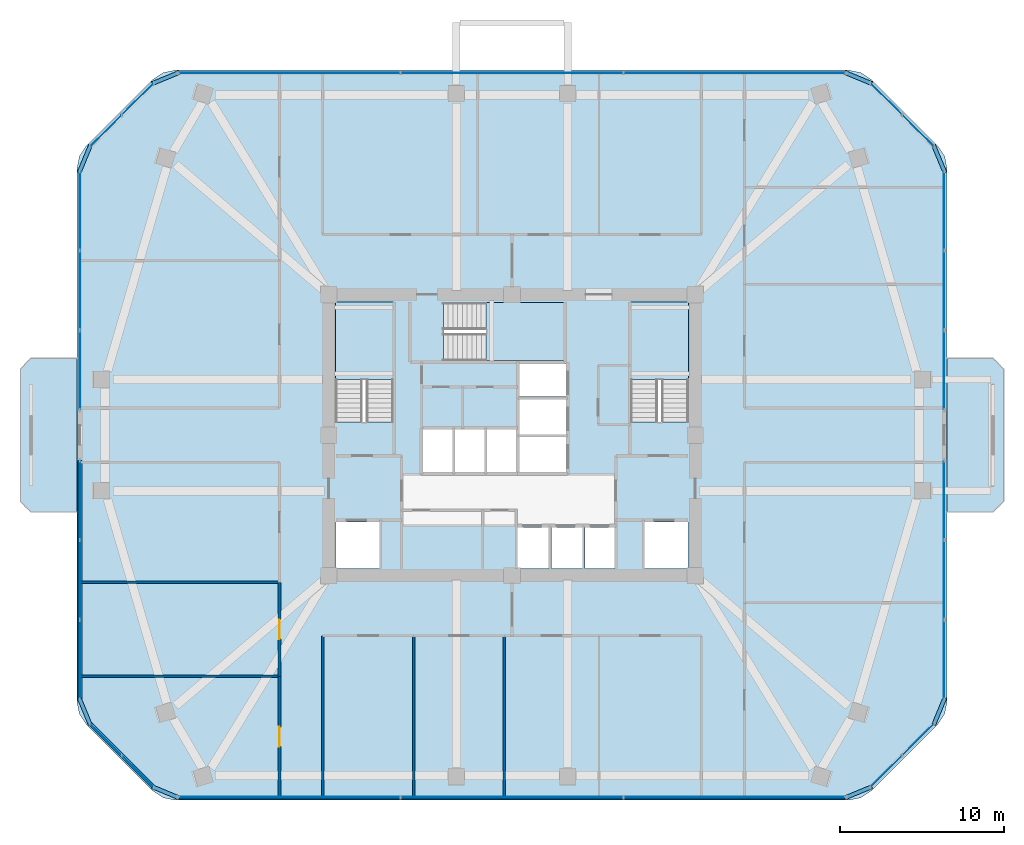
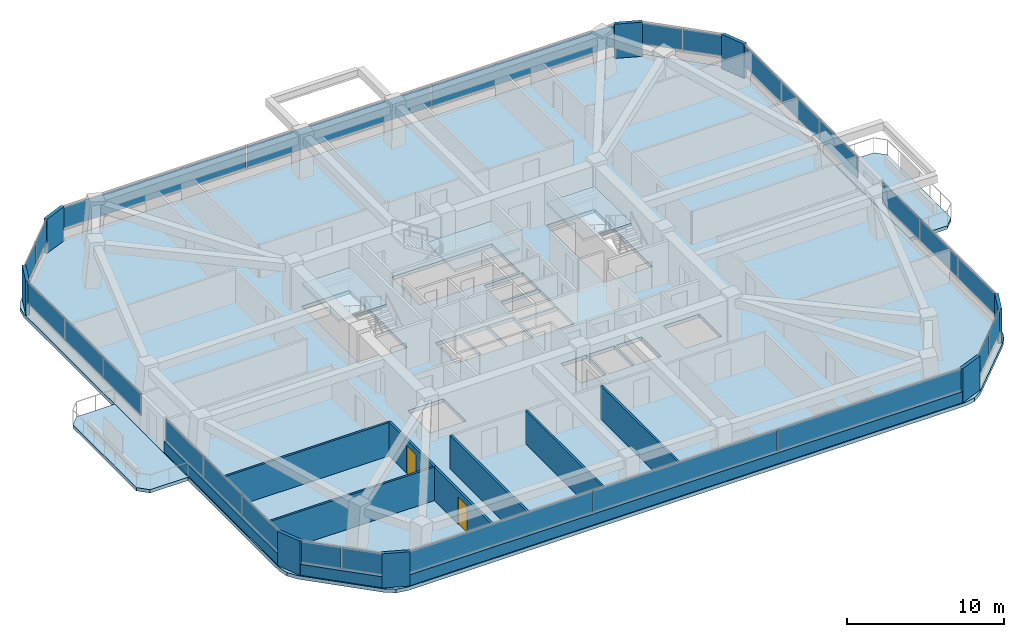
# One storey, part 9 of 15: 34 plates, 10 walls, 6 slabs, 2 doors, 2 openings, 13 elements without a shape of their own.
"""IFC4 building model written with IfcOpenShell, lengths in metres."""

import ifcopenshell
import ifcopenshell.guid

model = None  # the IFC model being written
_history = None  # IfcOwnerHistory: only IFC2X3 demands one
_inside = {}  # id of a spatial element -> (the spatial element, [elements in it])
_under = {}  # id of a project, library or spatial element -> (it, [spatial elements below it])
_declared = {}  # id of a project -> (the project, [libraries it declares])
_typed = {}  # id of a type object -> (the type object, [elements of that type])
_made_of = {}  # id of a material, layer set ... -> (it, [elements and type objects made of it])


def new_model(schema):
    """Start an empty IFC model of exactly this schema.

    Asked for "IFC4X3", IfcOpenShell would pick the latest addendum, in which some entities
    have other attributes; the version numbers below select the first issue.
    IFC2X3 requires an IfcOwnerHistory on every rooted entity: one is made here for all.
    """
    global model, _history
    if schema == "IFC4X3":
        model = ifcopenshell.file(schema_version=(4, 3, 0, 0))
    else:
        model = ifcopenshell.file(schema=schema)
    _inside.clear()
    _under.clear()
    _declared.clear()
    _typed.clear()
    _made_of.clear()
    _history = None
    if model.schema == "IFC2X3":
        org = make("IfcOrganization", Name="unknown")
        user = make(
            "IfcPersonAndOrganization",
            ThePerson=make("IfcPerson", FamilyName="unknown"),
            TheOrganization=org,
        )
        app = make(
            "IfcApplication",
            ApplicationDeveloper=org,
            Version="unknown",
            ApplicationFullName="unknown",
            ApplicationIdentifier="unknown",
        )
        _history = make(
            "IfcOwnerHistory",
            OwningUser=user,
            OwningApplication=app,
            ChangeAction="ADDED",
            CreationDate=0,
        )
    return model


def make(cls, **values):
    """One entity of the class cls with the attributes given. An attribute that is None is left unset."""
    return model.create_entity(
        cls, **{name: value for name, value in values.items() if value is not None}
    )


def rooted(cls, **values):
    """An entity with a GlobalId (a new one), such as an element, a storey or a relation."""
    return make(cls, GlobalId=ifcopenshell.guid.new(), OwnerHistory=_history, **values)


def si_unit(unit_type, name, prefix=None):
    """IfcSIUnit, for example si_unit("LENGTHUNIT", "METRE", prefix="MILLI")."""
    return make("IfcSIUnit", UnitType=unit_type, Prefix=prefix, Name=name)


def derived_unit(unit_type, elements):
    """IfcDerivedUnit: a product of units, each with its exponent."""
    return make(
        "IfcDerivedUnit",
        Elements=[
            make("IfcDerivedUnitElement", Unit=unit, Exponent=power)
            for unit, power in elements
        ],
        UnitType=unit_type,
    )


def assignment(units):
    """IfcUnitAssignment: the units of a project."""
    return None if units is None else make("IfcUnitAssignment", Units=units)


def point(xyz):
    """IfcCartesianPoint."""
    return None if xyz is None else make("IfcCartesianPoint", Coordinates=xyz)


def direction(xyz):
    """IfcDirection."""
    return None if xyz is None else make("IfcDirection", DirectionRatios=xyz)


def frame(location, z_axis=None, x_axis=None):
    """IfcAxis2Placement3D, a coordinate frame: its origin and axes. An axis left out is left unset."""
    return make(
        "IfcAxis2Placement3D",
        Location=point(location),
        Axis=direction(z_axis),
        RefDirection=direction(x_axis),
    )


def frame_2d(location, x_axis=None):
    """IfcAxis2Placement2D, a coordinate frame in the plane: its origin and x axis."""
    return make(
        "IfcAxis2Placement2D", Location=point(location), RefDirection=direction(x_axis)
    )


def origin():
    """The frame at (0, 0, 0) with its axes left unset."""
    return frame((0.0, 0.0, 0.0))


def origin_2d():
    """The frame at (0, 0) in the plane with its x axis left unset."""
    return frame_2d((0.0, 0.0))


def place(relative_to, where):
    """IfcLocalPlacement: puts the frame where relative to a parent placement (None: the world)."""
    return make(
        "IfcLocalPlacement", PlacementRelTo=relative_to, RelativePlacement=where
    )


def context(
    kind, dimensions, precision=None, world=None, true_north=None, identifier=None
):
    """IfcGeometricRepresentationContext, for example the 3D "Model" context."""
    return make(
        "IfcGeometricRepresentationContext",
        ContextIdentifier=identifier,
        ContextType=kind,
        CoordinateSpaceDimension=dimensions,
        Precision=precision,
        WorldCoordinateSystem=world,
        TrueNorth=true_north,
    )


def subcontext(parent, identifier, kind, view, scale=None):
    """IfcGeometricRepresentationSubContext, for example "Body" below "Model"."""
    return make(
        "IfcGeometricRepresentationSubContext",
        ContextIdentifier=identifier,
        ContextType=kind,
        ParentContext=parent,
        TargetScale=scale,
        TargetView=view,
    )


def project(units=None, contexts=None):
    """IfcProject with its units and contexts."""
    return rooted(
        "IfcProject",
        Name="project",
        RepresentationContexts=contexts,
        UnitsInContext=assignment(units),
    )


def spatial(cls, under=None, at=None, **own):
    """A site, building, storey or space (cls), placed at a placement, below another one or the project."""
    s = rooted(cls, ObjectPlacement=at, **own)
    if under is not None:
        _under.setdefault(under.id(), (under, []))[1].append(s)
    return s


def polyline(points):
    """IfcPolyline through the points."""
    return make("IfcPolyline", Points=[point(p) for p in points])


def profile(cls, at=None, kind="AREA", **sizes):
    """A parametric profile (cls). Its sizes go by their IFC names, for example OverallWidth=200.0."""
    return make(cls, ProfileType=kind, Position=at, **sizes)


def rectangle(**sizes):
    """IfcRectangleProfileDef."""
    return profile("IfcRectangleProfileDef", **sizes)


def outline(outer, holes=None, kind="AREA"):
    """IfcArbitraryClosedProfileDef: a profile drawn as a closed curve; with holes, ...WithVoids."""
    if holes is None:
        return make("IfcArbitraryClosedProfileDef", ProfileType=kind, OuterCurve=outer)
    return make(
        "IfcArbitraryProfileDefWithVoids",
        ProfileType=kind,
        OuterCurve=outer,
        InnerCurves=holes,
    )


def extrude(swept, where, along, depth):
    """IfcExtrudedAreaSolid: the profile swept, set in the frame where, extruded along a direction by depth."""
    return make(
        "IfcExtrudedAreaSolid",
        SweptArea=swept,
        Position=where,
        ExtrudedDirection=direction(along),
        Depth=depth,
    )


def shape(context_of_items, identifier, shape_type, items):
    """IfcShapeRepresentation: the items that make up one representation, for example the "Body"."""
    return make(
        "IfcShapeRepresentation",
        ContextOfItems=context_of_items,
        RepresentationIdentifier=identifier,
        RepresentationType=shape_type,
        Items=items,
    )


def material(Name=None, Category=None):
    """IfcMaterial."""
    return make("IfcMaterial", Name=Name, Category=Category)


def layer(
    of_material, thickness, ventilated=None, Name=None, Category=None, Priority=None
):
    """IfcMaterialLayer: one layer of a wall or slab, of a material (None: an air gap)."""
    return make(
        "IfcMaterialLayer",
        Material=of_material,
        LayerThickness=thickness,
        IsVentilated=ventilated,
        Name=Name,
        Category=Category,
        Priority=Priority,
    )


def layer_set(layers, Name=None):
    """IfcMaterialLayerSet."""
    return make("IfcMaterialLayerSet", MaterialLayers=layers, LayerSetName=Name)


def made_of(thing, what):
    """Note that an element or type object is made of a material, layer set ...; save() writes the relation."""
    if what is not None:
        _made_of.setdefault(what.id(), (what, []))[1].append(thing)
    return thing


def type_object(cls, material=None, **own):
    """A type object (cls), such as IfcWallType, which elements share."""
    return made_of(rooted(cls, **own), material)


def element(
    cls,
    number,
    at=None,
    inside=None,
    cuts=None,
    type_object=None,
    material=None,
    context=None,
    identifier="Body",
    shape_type=None,
    held_by="IfcProductDefinitionShape",
    body=None,
    shapes=None,
    **own,
):
    """One element of the class cls, such as IfcWall. Its Tag is "e" and its number.

    at: its placement. inside: the storey or other place that contains it. cuts: it is an
    opening in that element (IfcRelVoidsElement). A single representation is given by context,
    identifier, shape_type and body (its items); several are given by shapes. held_by: the class
    of the entity that holds the representations. save() writes the other relations.
    """
    e = rooted(cls, Tag="e%d" % number, ObjectPlacement=at, **own)
    if body is not None:
        shapes = [shape(context, identifier, shape_type, body)]
    if shapes is not None:
        e.Representation = make(held_by, Representations=shapes)
    if inside is not None:
        _inside.setdefault(inside.id(), (inside, []))[1].append(e)
    if cuts is not None:
        rooted(
            "IfcRelVoidsElement", RelatingBuildingElement=cuts, RelatedOpeningElement=e
        )
    if type_object is not None:
        _typed.setdefault(type_object.id(), (type_object, []))[1].append(e)
    return made_of(e, material)


def fill(opening, filler):
    """IfcRelFillsElement: the door or window that sits in an opening."""
    return rooted(
        "IfcRelFillsElement",
        RelatingOpeningElement=opening,
        RelatedBuildingElement=filler,
    )


def aggregate(whole, parts):
    """IfcRelAggregates: a whole, such as a stair, and the parts it consists of."""
    return rooted("IfcRelAggregates", RelatingObject=whole, RelatedObjects=parts)


def save(model, path):
    """Write the relations noted so far, then the file.

    IfcRelAggregates (storeys below a building ...), IfcRelContainedInSpatialStructure (elements
    in a storey), IfcRelDefinesByType, IfcRelAssociatesMaterial and IfcRelDeclares: one each for
    every whole, place, type object, material and project.
    """
    for whole, parts in _under.values():
        aggregate(whole, parts)
    for where, things in _inside.values():
        rooted(
            "IfcRelContainedInSpatialStructure",
            RelatedElements=things,
            RelatingStructure=where,
        )
    for kind, things in _typed.values():
        rooted("IfcRelDefinesByType", RelatedObjects=things, RelatingType=kind)
    for what, things in _made_of.values():
        rooted("IfcRelAssociatesMaterial", RelatedObjects=things, RelatingMaterial=what)
    for by, libraries in _declared.values():
        rooted("IfcRelDeclares", RelatingContext=by, RelatedDefinitions=libraries)
    model.write(path)


model = new_model("IFC4")

# Units and contexts
model_context = context("Model", 3, precision=1e-05, world=origin(), true_north=direction((0.0, 1.0)))
body_context = subcontext(model_context, "Body", "Model", "MODEL_VIEW")
ifc_project = project(units=[si_unit("LENGTHUNIT", "METRE"), si_unit("AREAUNIT", "SQUARE_METRE"), si_unit("VOLUMEUNIT", "CUBIC_METRE"), si_unit("PLANEANGLEUNIT", "RADIAN"), si_unit("MASSUNIT", "GRAM", prefix="KILO"), derived_unit("THERMALTRANSMITTANCEUNIT", [(si_unit("POWERUNIT", "WATT"), 1), (si_unit("LENGTHUNIT", "METRE"), -2), (si_unit("THERMODYNAMICTEMPERATUREUNIT", "KELVIN"), -1)])], contexts=[model_context])

# Site, building, storey
site_placement = place(None, origin())
site = spatial("IfcSite", under=ifc_project, at=site_placement, CompositionType="ELEMENT")
building_placement = place(site_placement, origin())
building = spatial("IfcBuilding", under=site, at=building_placement, Name="Koralith Skygarden Medical Center", CompositionType="ELEMENT")
storey_placement = place(building_placement, frame((0.0, 0.0, 91.97998046875)))
storey = spatial("IfcBuildingStorey", under=building, at=storey_placement, Name="L23", CompositionType="ELEMENT", Elevation=91.97998046875)

# Curtain wall, plates
ifc_material_1 = material(Name="Clear Laminated Glass", Category="glass")
curtain_wall_type = type_object("IfcCurtainWallType", Name="CW-3 Zone 2 Faceted Solar Curtain Wall", PredefinedType="NOTDEFINED", material=ifc_material_1)
curtain_wall_1_placement = place(storey_placement, origin())
curtain_wall_1 = element("IfcCurtainWall", 1, at=curtain_wall_1_placement, inside=storey, type_object=curtain_wall_type, Name="Curtain Wall CW-L23-S", PredefinedType="NOTDEFINED")
ifc_layer_1 = layer(ifc_material_1, 0.033935546875)
ifc_layer_set_1 = layer_set([ifc_layer_1], Name="Clear Laminated Glass")
plate_type_1 = type_object("IfcPlateType", Name="CW-3 Hurricane Laminated IGU Panel 34", PredefinedType="CURTAIN_PANEL", material=ifc_layer_set_1)
plate_1_placement = place(storey_placement, frame((23.3720703125, 3.76806640625, 0.919921875), z_axis=(0.0, 0.0, 1.0), x_axis=(1.0, 0.0, 0.0)))
plate_1 = element("IfcPlate", 2, at=plate_1_placement, type_object=plate_type_1, Name="CW-L23-S Glazed Panel 1", PredefinedType="CURTAIN_PANEL", context=body_context, shape_type="SweptSolid", body=[
    extrude(rectangle(XDim=13.5380859375, YDim=0.033935546875, at=origin_2d()), origin(), (0.0, 0.0, 1.0), 1.679931640625),
])
plate_2_placement = place(storey_placement, frame((37.0, 3.76806640625, 0.919921875), z_axis=(0.0, 0.0, 1.0), x_axis=(1.0, 0.0, 0.0)))
plate_2 = element("IfcPlate", 3, at=plate_2_placement, type_object=plate_type_1, Name="CW-L23-S Glazed Panel 2", PredefinedType="CURTAIN_PANEL", context=body_context, shape_type="SweptSolid", body=[
    extrude(rectangle(XDim=13.5380859375, YDim=0.033935546875, at=origin_2d()), origin(), (0.0, 0.0, 1.0), 1.679931640625),
])
plate_3_placement = place(storey_placement, frame((50.6279296875, 3.76806640625, 0.919921875), z_axis=(0.0, 0.0, 1.0), x_axis=(1.0, 0.0, 0.0)))
plate_3 = element("IfcPlate", 4, at=plate_3_placement, type_object=plate_type_1, Name="CW-L23-S Glazed Panel 3", PredefinedType="CURTAIN_PANEL", context=body_context, shape_type="SweptSolid", body=[
    extrude(rectangle(XDim=13.5380859375, YDim=0.033935546875, at=origin_2d()), origin(), (0.0, 0.0, 1.0), 1.679931640625),
])
aggregate(curtain_wall_1, [plate_1, plate_2, plate_3])

curtain_wall_2_placement = place(storey_placement, origin())
curtain_wall_2 = element("IfcCurtainWall", 5, at=curtain_wall_2_placement, inside=storey, type_object=curtain_wall_type, Name="Curtain Wall CW-L23-SE", PredefinedType="NOTDEFINED")
plate_4_placement = place(storey_placement, frame((59.8740234375, 5.35107421875, 0.919921875), z_axis=(0.0, 0.0, 1.0), x_axis=(0.707106781187, 0.707106781187, 0.0)))
plate_4 = element("IfcPlate", 6, at=plate_4_placement, type_object=plate_type_1, Name="CW-L23-SE Glazed Panel 1", PredefinedType="CURTAIN_PANEL", context=body_context, shape_type="SweptSolid", body=[
    extrude(rectangle(XDim=2.68408203125, YDim=0.033935546875, at=origin_2d()), origin(), (0.0, 0.0, 1.0), 1.679931640625),
])
plate_5_placement = place(storey_placement, frame((61.8349609375, 7.31201171875, 0.919921875), z_axis=(0.0, 0.0, 1.0), x_axis=(0.707106781187, 0.707106781187, 0.0)))
plate_5 = element("IfcPlate", 7, at=plate_5_placement, type_object=plate_type_1, Name="CW-L23-SE Glazed Panel 2", PredefinedType="CURTAIN_PANEL", context=body_context, shape_type="SweptSolid", body=[
    extrude(rectangle(XDim=2.68408203125, YDim=0.033935546875, at=origin_2d()), origin(), (0.0, 0.0, 1.0), 1.679931640625),
])
aggregate(curtain_wall_2, [plate_4, plate_5])

curtain_wall_3_placement = place(storey_placement, origin())
curtain_wall_3 = element("IfcCurtainWall", 8, at=curtain_wall_3_placement, inside=storey, type_object=curtain_wall_type, Name="Curtain Wall CW-L23-E-L", PredefinedType="NOTDEFINED")
plate_6_placement = place(storey_placement, frame((63.41796875, 12.179931640625, 0.919921875), z_axis=(0.0, 0.0, 1.0), x_axis=(0.0, 1.0, 0.0)))
plate_6 = element("IfcPlate", 9, at=plate_6_placement, type_object=plate_type_1, Name="CW-L23-E-L Glazed Panel 1", PredefinedType="CURTAIN_PANEL", context=body_context, shape_type="SweptSolid", body=[
    extrude(rectangle(XDim=4.781982421875, YDim=0.033935546875, at=origin_2d()), origin(), (0.0, 0.0, 1.0), 1.679931640625),
])
plate_7_placement = place(storey_placement, frame((63.41796875, 17.052001953125, 0.919921875), z_axis=(0.0, 0.0, 1.0), x_axis=(0.0, 1.0, 0.0)))
plate_7 = element("IfcPlate", 10, at=plate_7_placement, type_object=plate_type_1, Name="CW-L23-E-L Glazed Panel 2", PredefinedType="CURTAIN_PANEL", context=body_context, shape_type="SweptSolid", body=[
    extrude(rectangle(XDim=4.781982421875, YDim=0.033935546875, at=origin_2d()), origin(), (0.0, 0.0, 1.0), 1.679931640625),
])
plate_8_placement = place(storey_placement, frame((63.41796875, 21.924072265625, 0.919921875), z_axis=(0.0, 0.0, 1.0), x_axis=(0.0, 1.0, 0.0)))
plate_8 = element("IfcPlate", 11, at=plate_8_placement, type_object=plate_type_1, Name="CW-L23-E-L Glazed Panel 3", PredefinedType="CURTAIN_PANEL", context=body_context, shape_type="SweptSolid", body=[
    extrude(rectangle(XDim=4.781982421875, YDim=0.033935546875, at=origin_2d()), origin(), (0.0, 0.0, 1.0), 1.679931640625),
])
aggregate(curtain_wall_3, [plate_6, plate_7, plate_8])

curtain_wall_4_placement = place(storey_placement, origin())
curtain_wall_4 = element("IfcCurtainWall", 12, at=curtain_wall_4_placement, inside=storey, type_object=curtain_wall_type, Name="Curtain Wall CW-L23-E-R", PredefinedType="NOTDEFINED")
plate_9_placement = place(storey_placement, frame((63.41796875, 29.8759765625, 0.919921875), z_axis=(0.0, 0.0, 1.0), x_axis=(0.0, 1.0, 0.0)))
plate_9 = element("IfcPlate", 13, at=plate_9_placement, type_object=plate_type_1, Name="CW-L23-E-R Glazed Panel 1", PredefinedType="CURTAIN_PANEL", context=body_context, shape_type="SweptSolid", body=[
    extrude(rectangle(XDim=4.781982421875, YDim=0.033935546875, at=origin_2d()), origin(), (0.0, 0.0, 1.0), 1.679931640625),
])
plate_10_placement = place(storey_placement, frame((63.41796875, 34.748046875, 0.919921875), z_axis=(0.0, 0.0, 1.0), x_axis=(0.0, 1.0, 0.0)))
plate_10 = element("IfcPlate", 14, at=plate_10_placement, type_object=plate_type_1, Name="CW-L23-E-R Glazed Panel 2", PredefinedType="CURTAIN_PANEL", context=body_context, shape_type="SweptSolid", body=[
    extrude(rectangle(XDim=4.781982421875, YDim=0.033935546875, at=origin_2d()), origin(), (0.0, 0.0, 1.0), 1.679931640625),
])
plate_11_placement = place(storey_placement, frame((63.41796875, 39.6201171875, 0.919921875), z_axis=(0.0, 0.0, 1.0), x_axis=(0.0, 1.0, 0.0)))
plate_11 = element("IfcPlate", 15, at=plate_11_placement, type_object=plate_type_1, Name="CW-L23-E-R Glazed Panel 3", PredefinedType="CURTAIN_PANEL", context=body_context, shape_type="SweptSolid", body=[
    extrude(rectangle(XDim=4.781982421875, YDim=0.033935546875, at=origin_2d()), origin(), (0.0, 0.0, 1.0), 1.679931640625),
])
aggregate(curtain_wall_4, [plate_9, plate_10, plate_11])

curtain_wall_5_placement = place(storey_placement, origin())
curtain_wall_5 = element("IfcCurtainWall", 16, at=curtain_wall_5_placement, inside=storey, type_object=curtain_wall_type, Name="Curtain Wall CW-L23-NE", PredefinedType="NOTDEFINED")
plate_12_placement = place(storey_placement, frame((61.8349609375, 44.488037109375, 0.919921875), z_axis=(0.0, 0.0, 1.0), x_axis=(-0.707106781187, 0.707106781187, 0.0)))
plate_12 = element("IfcPlate", 17, at=plate_12_placement, type_object=plate_type_1, Name="CW-L23-NE Glazed Panel 1", PredefinedType="CURTAIN_PANEL", context=body_context, shape_type="SweptSolid", body=[
    extrude(rectangle(XDim=2.68408203125, YDim=0.033935546875, at=origin_2d()), origin(), (0.0, 0.0, 1.0), 1.679931640625),
])
plate_13_placement = place(storey_placement, frame((59.8740234375, 46.448974609375, 0.919921875), z_axis=(0.0, 0.0, 1.0), x_axis=(-0.707106781187, 0.707106781187, 0.0)))
plate_13 = element("IfcPlate", 18, at=plate_13_placement, type_object=plate_type_1, Name="CW-L23-NE Glazed Panel 2", PredefinedType="CURTAIN_PANEL", context=body_context, shape_type="SweptSolid", body=[
    extrude(rectangle(XDim=2.68408203125, YDim=0.033935546875, at=origin_2d()), origin(), (0.0, 0.0, 1.0), 1.679931640625),
])
aggregate(curtain_wall_5, [plate_12, plate_13])

curtain_wall_6_placement = place(storey_placement, origin())
curtain_wall_6 = element("IfcCurtainWall", 19, at=curtain_wall_6_placement, inside=storey, type_object=curtain_wall_type, Name="Curtain Wall CW-L23-N", PredefinedType="NOTDEFINED")
plate_14_placement = place(storey_placement, frame((50.6279296875, 48.031005859375, 0.919921875), z_axis=(0.0, 0.0, 1.0), x_axis=(-1.0, 0.0, 0.0)))
plate_14 = element("IfcPlate", 20, at=plate_14_placement, type_object=plate_type_1, Name="CW-L23-N Glazed Panel 1", PredefinedType="CURTAIN_PANEL", context=body_context, shape_type="SweptSolid", body=[
    extrude(rectangle(XDim=13.5380859375, YDim=0.033935546875, at=origin_2d()), origin(), (0.0, 0.0, 1.0), 1.679931640625),
])
plate_15_placement = place(storey_placement, frame((37.0, 48.031005859375, 0.919921875), z_axis=(0.0, 0.0, 1.0), x_axis=(-1.0, 0.0, 0.0)))
plate_15 = element("IfcPlate", 21, at=plate_15_placement, type_object=plate_type_1, Name="CW-L23-N Glazed Panel 2", PredefinedType="CURTAIN_PANEL", context=body_context, shape_type="SweptSolid", body=[
    extrude(rectangle(XDim=13.5380859375, YDim=0.033935546875, at=origin_2d()), origin(), (0.0, 0.0, 1.0), 1.679931640625),
])
plate_16_placement = place(storey_placement, frame((23.3720703125, 48.031005859375, 0.919921875), z_axis=(0.0, 0.0, 1.0), x_axis=(-1.0, 0.0, 0.0)))
plate_16 = element("IfcPlate", 22, at=plate_16_placement, type_object=plate_type_1, Name="CW-L23-N Glazed Panel 3", PredefinedType="CURTAIN_PANEL", context=body_context, shape_type="SweptSolid", body=[
    extrude(rectangle(XDim=13.5380859375, YDim=0.033935546875, at=origin_2d()), origin(), (0.0, 0.0, 1.0), 1.679931640625),
])
aggregate(curtain_wall_6, [plate_14, plate_15, plate_16])

curtain_wall_7_placement = place(storey_placement, origin())
curtain_wall_7 = element("IfcCurtainWall", 23, at=curtain_wall_7_placement, inside=storey, type_object=curtain_wall_type, Name="Curtain Wall CW-L23-NW", PredefinedType="NOTDEFINED")
plate_17_placement = place(storey_placement, frame((14.1259765625, 46.448974609375, 0.919921875), z_axis=(0.0, 0.0, 1.0), x_axis=(-0.707106781187, -0.707106781187, 0.0)))
plate_17 = element("IfcPlate", 24, at=plate_17_placement, type_object=plate_type_1, Name="CW-L23-NW Glazed Panel 1", PredefinedType="CURTAIN_PANEL", context=body_context, shape_type="SweptSolid", body=[
    extrude(rectangle(XDim=2.68408203125, YDim=0.033935546875, at=origin_2d()), origin(), (0.0, 0.0, 1.0), 1.679931640625),
])
plate_18_placement = place(storey_placement, frame((12.1650390625, 44.488037109375, 0.919921875), z_axis=(0.0, 0.0, 1.0), x_axis=(-0.707106781187, -0.707106781187, 0.0)))
plate_18 = element("IfcPlate", 25, at=plate_18_placement, type_object=plate_type_1, Name="CW-L23-NW Glazed Panel 2", PredefinedType="CURTAIN_PANEL", context=body_context, shape_type="SweptSolid", body=[
    extrude(rectangle(XDim=2.68408203125, YDim=0.033935546875, at=origin_2d()), origin(), (0.0, 0.0, 1.0), 1.679931640625),
])
aggregate(curtain_wall_7, [plate_17, plate_18])

curtain_wall_8_placement = place(storey_placement, origin())
curtain_wall_8 = element("IfcCurtainWall", 26, at=curtain_wall_8_placement, inside=storey, type_object=curtain_wall_type, Name="Curtain Wall CW-L23-W-L", PredefinedType="NOTDEFINED")
plate_19_placement = place(storey_placement, frame((10.58203125, 39.6201171875, 0.919921875), z_axis=(0.0, 0.0, 1.0), x_axis=(0.0, -1.0, 0.0)))
plate_19 = element("IfcPlate", 27, at=plate_19_placement, type_object=plate_type_1, Name="CW-L23-W-L Glazed Panel 1", PredefinedType="CURTAIN_PANEL", context=body_context, shape_type="SweptSolid", body=[
    extrude(rectangle(XDim=4.781982421875, YDim=0.033935546875, at=origin_2d()), origin(), (0.0, 0.0, 1.0), 1.679931640625),
])
plate_20_placement = place(storey_placement, frame((10.58203125, 34.748046875, 0.919921875), z_axis=(0.0, 0.0, 1.0), x_axis=(0.0, -1.0, 0.0)))
plate_20 = element("IfcPlate", 28, at=plate_20_placement, type_object=plate_type_1, Name="CW-L23-W-L Glazed Panel 2", PredefinedType="CURTAIN_PANEL", context=body_context, shape_type="SweptSolid", body=[
    extrude(rectangle(XDim=4.781982421875, YDim=0.033935546875, at=origin_2d()), origin(), (0.0, 0.0, 1.0), 1.679931640625),
])
plate_21_placement = place(storey_placement, frame((10.58203125, 29.8759765625, 0.919921875), z_axis=(0.0, 0.0, 1.0), x_axis=(0.0, -1.0, 0.0)))
plate_21 = element("IfcPlate", 29, at=plate_21_placement, type_object=plate_type_1, Name="CW-L23-W-L Glazed Panel 3", PredefinedType="CURTAIN_PANEL", context=body_context, shape_type="SweptSolid", body=[
    extrude(rectangle(XDim=4.781982421875, YDim=0.033935546875, at=origin_2d()), origin(), (0.0, 0.0, 1.0), 1.679931640625),
])
aggregate(curtain_wall_8, [plate_19, plate_20, plate_21])

curtain_wall_9_placement = place(storey_placement, origin())
curtain_wall_9 = element("IfcCurtainWall", 30, at=curtain_wall_9_placement, inside=storey, type_object=curtain_wall_type, Name="Curtain Wall CW-L23-W-R", PredefinedType="NOTDEFINED")
plate_22_placement = place(storey_placement, frame((10.58203125, 21.924072265625, 0.919921875), z_axis=(0.0, 0.0, 1.0), x_axis=(0.0, -1.0, 0.0)))
plate_22 = element("IfcPlate", 31, at=plate_22_placement, type_object=plate_type_1, Name="CW-L23-W-R Glazed Panel 1", PredefinedType="CURTAIN_PANEL", context=body_context, shape_type="SweptSolid", body=[
    extrude(rectangle(XDim=4.781982421875, YDim=0.033935546875, at=origin_2d()), origin(), (0.0, 0.0, 1.0), 1.679931640625),
])
plate_23_placement = place(storey_placement, frame((10.58203125, 17.052001953125, 0.919921875), z_axis=(0.0, 0.0, 1.0), x_axis=(0.0, -1.0, 0.0)))
plate_23 = element("IfcPlate", 32, at=plate_23_placement, type_object=plate_type_1, Name="CW-L23-W-R Glazed Panel 2", PredefinedType="CURTAIN_PANEL", context=body_context, shape_type="SweptSolid", body=[
    extrude(rectangle(XDim=4.781982421875, YDim=0.033935546875, at=origin_2d()), origin(), (0.0, 0.0, 1.0), 1.679931640625),
])
plate_24_placement = place(storey_placement, frame((10.58203125, 12.179931640625, 0.919921875), z_axis=(0.0, 0.0, 1.0), x_axis=(0.0, -1.0, 0.0)))
plate_24 = element("IfcPlate", 33, at=plate_24_placement, type_object=plate_type_1, Name="CW-L23-W-R Glazed Panel 3", PredefinedType="CURTAIN_PANEL", context=body_context, shape_type="SweptSolid", body=[
    extrude(rectangle(XDim=4.781982421875, YDim=0.033935546875, at=origin_2d()), origin(), (0.0, 0.0, 1.0), 1.679931640625),
])
aggregate(curtain_wall_9, [plate_22, plate_23, plate_24])

curtain_wall_10_placement = place(storey_placement, origin())
curtain_wall_10 = element("IfcCurtainWall", 34, at=curtain_wall_10_placement, inside=storey, type_object=curtain_wall_type, Name="Curtain Wall CW-L23-SW", PredefinedType="NOTDEFINED")
plate_25_placement = place(storey_placement, frame((12.1650390625, 7.31201171875, 0.919921875), z_axis=(0.0, 0.0, 1.0), x_axis=(0.707106781187, -0.707106781187, 0.0)))
plate_25 = element("IfcPlate", 35, at=plate_25_placement, type_object=plate_type_1, Name="CW-L23-SW Glazed Panel 1", PredefinedType="CURTAIN_PANEL", context=body_context, shape_type="SweptSolid", body=[
    extrude(rectangle(XDim=2.68408203125, YDim=0.033935546875, at=origin_2d()), origin(), (0.0, 0.0, 1.0), 1.679931640625),
])
plate_26_placement = place(storey_placement, frame((14.1259765625, 5.35107421875, 0.919921875), z_axis=(0.0, 0.0, 1.0), x_axis=(0.707106781187, -0.707106781187, 0.0)))
plate_26 = element("IfcPlate", 36, at=plate_26_placement, type_object=plate_type_1, Name="CW-L23-SW Glazed Panel 2", PredefinedType="CURTAIN_PANEL", context=body_context, shape_type="SweptSolid", body=[
    extrude(rectangle(XDim=2.68408203125, YDim=0.033935546875, at=origin_2d()), origin(), (0.0, 0.0, 1.0), 1.679931640625),
])
aggregate(curtain_wall_10, [plate_25, plate_26])

# Slabs
ifc_material_2 = material(Name="Concrete C45/55", Category="concrete")
ifc_layer_2 = layer(ifc_material_2, 0.260009765625)
ifc_layer_set_2 = layer_set([ifc_layer_2], Name="Concrete C45/55")
slab_type_1 = type_object("IfcSlabType", Name="Cantilevered Planted Balcony Slab 260", PredefinedType="FLOOR", material=ifc_layer_set_2)
slab_1_placement = place(storey_placement, frame((0.0, 0.0, -0.260009765625)))
element("IfcSlab", 37, at=slab_1_placement, inside=storey, type_object=slab_type_1, Name="L23 E Planted Sky-Garden Balcony Slab", PredefinedType="FLOOR", context=body_context, shape_type="SweptSolid", body=[
    extrude(outline(polyline([(63.596923828125, 21.199951171875), (66.39697265625, 21.199951171875), (67.047119140625, 21.85009765625), (67.047119140625, 29.949951171875), (66.39697265625, 30.60009765625), (63.596923828125, 30.60009765625), (63.596923828125, 21.199951171875)])), origin(), (0.0, 0.0, 1.0), 0.260009765625),
])
slab_2_placement = place(storey_placement, frame((0.0, 0.0, -0.260009765625)))
element("IfcSlab", 38, at=slab_2_placement, inside=storey, type_object=slab_type_1, Name="L23 W Planted Sky-Garden Balcony Slab", PredefinedType="FLOOR", context=body_context, shape_type="SweptSolid", body=[
    extrude(outline(polyline([(7.60302734375, 21.199951171875), (10.402099609375, 21.199951171875), (10.402099609375, 30.60009765625), (7.60302734375, 30.60009765625), (6.951904296875, 29.949951171875), (6.951904296875, 21.85009765625), (7.60302734375, 21.199951171875)])), origin(), (0.0, 0.0, 1.0), 0.260009765625),
])

# Stair, slab
stair_type = type_object("IfcStairType", Name="Core Exit Dogleg Concrete Stair", PredefinedType="HALF_TURN_STAIR", material=ifc_material_2)
stair_1_placement = place(storey_placement, origin())
stair_1 = element("IfcStair", 39, at=stair_1_placement, inside=storey, type_object=stair_type, Name="L23 Smokeproof Exit Stair ST1", PredefinedType="HALF_TURN_STAIR")
ifc_layer_3 = layer(ifc_material_2, 0.199951171875)
ifc_layer_set_3 = layer_set([ifc_layer_3], Name="Concrete C45/55")
slab_type_2 = type_object("IfcSlabType", Name="Core Exit Concrete Stair Landing 200", PredefinedType="LANDING", material=ifc_layer_set_3)
slab_3_placement = place(storey_placement, frame((0.0, 0.0, 1.60009765625)))
slab_3 = element("IfcSlab", 40, at=slab_3_placement, type_object=slab_type_2, Name="ST1 landing 1", PredefinedType="LANDING", context=body_context, shape_type="SweptSolid", body=[
    extrude(outline(polyline([(29.75, 29.31005859375), (29.75, 34.050048828125), (26.199951171875, 34.050048828125), (26.199951171875, 29.31005859375), (29.75, 29.31005859375)])), origin(), (0.0, 0.0, 1.0), 0.199951171875),
])
aggregate(stair_1, [slab_3])

stair_2_placement = place(storey_placement, origin())
stair_2 = element("IfcStair", 41, at=stair_2_placement, inside=storey, type_object=stair_type, Name="L23 Smokeproof Exit Stair ST2", PredefinedType="HALF_TURN_STAIR")
slab_4_placement = place(storey_placement, frame((0.0, 0.0, 1.60009765625)))
slab_4 = element("IfcSlab", 42, at=slab_4_placement, type_object=slab_type_2, Name="ST2 landing 1", PredefinedType="LANDING", context=body_context, shape_type="SweptSolid", body=[
    extrude(outline(polyline([(47.800048828125, 29.31005859375), (47.800048828125, 34.050048828125), (44.25, 34.050048828125), (44.25, 29.31005859375), (47.800048828125, 29.31005859375)])), origin(), (0.0, 0.0, 1.0), 0.199951171875),
])
aggregate(stair_2, [slab_4])

stair_3_placement = place(storey_placement, origin())
stair_3 = element("IfcStair", 43, at=stair_3_placement, inside=storey, type_object=stair_type, Name="L23 Smokeproof Exit Stair ST3", PredefinedType="HALF_TURN_STAIR")
slab_5_placement = place(storey_placement, frame((0.0, 0.0, 1.60009765625)))
slab_5 = element("IfcSlab", 44, at=slab_5_placement, type_object=slab_type_2, Name="ST3 landing 1", PredefinedType="LANDING", context=body_context, shape_type="SweptSolid", body=[
    extrude(outline(polyline([(35.409912109375, 30.449951171875), (40.199951171875, 30.449951171875), (40.199951171875, 34.0), (35.409912109375, 34.0), (35.409912109375, 30.449951171875)])), origin(), (0.0, 0.0, 1.0), 0.199951171875),
])
aggregate(stair_3, [slab_5])

# Slab
ifc_layer_4 = layer(ifc_material_2, 0.280029296875)
ifc_layer_set_4 = layer_set([ifc_layer_4], Name="Concrete C45/55")
slab_type_3 = type_object("IfcSlabType", Name="Post-Tensioned Ward Floor Plate 280", PredefinedType="FLOOR", material=ifc_layer_set_4)
slab_6_placement = place(storey_placement, frame((0.0, 0.0, -0.280029296875)))
element("IfcSlab", 45, at=slab_6_placement, inside=storey, type_object=slab_type_3, Name="Level L23 Structural Floor Slab", PredefinedType="FLOOR", context=body_context, shape_type="SweptSolid", body=[
    extrude(outline(polyline([(15.01708984375, 4.174072265625), (15.666015625, 3.740966796875), (16.430908203125, 3.587890625), (57.569091796875, 3.587890625), (58.333984375, 3.740966796875), (58.98291015625, 4.174072265625), (63.011962890625, 8.202880859375), (63.445068359375, 8.85205078125), (63.596923828125, 9.616943359375), (63.596923828125, 42.18310546875), (63.445068359375, 42.947998046875), (63.011962890625, 43.596923828125), (58.98291015625, 47.6259765625), (58.333984375, 48.05908203125), (57.569091796875, 48.2119140625), (16.430908203125, 48.2119140625), (15.666015625, 48.05908203125), (15.01708984375, 47.6259765625), (10.988037109375, 43.596923828125), (10.554931640625, 42.947998046875), (10.402099609375, 42.18310546875), (10.402099609375, 9.616943359375), (10.554931640625, 8.85205078125), (10.988037109375, 8.202880859375), (15.01708984375, 4.174072265625)]), holes=[polyline([(26.199951171875, 26.705078125), (29.75, 26.705078125), (29.75, 34.050048828125), (26.199951171875, 34.050048828125), (26.199951171875, 26.705078125)]), polyline([(44.25, 26.705078125), (47.800048828125, 26.705078125), (47.800048828125, 34.050048828125), (44.25, 34.050048828125), (44.25, 26.705078125)]), polyline([(32.804931640625, 30.449951171875), (40.199951171875, 30.449951171875), (40.199951171875, 34.0), (32.804931640625, 34.0), (32.804931640625, 30.449951171875)]), polyline([(26.25, 17.75), (28.89990234375, 17.75), (28.89990234375, 20.60009765625), (26.25, 20.60009765625), (26.25, 17.75)]), polyline([(45.10009765625, 17.75), (47.75, 17.75), (47.75, 20.60009765625), (45.10009765625, 20.60009765625), (45.10009765625, 17.75)]), polyline([(37.35009765625, 17.75), (39.25, 17.75), (39.25, 20.25), (37.35009765625, 20.25), (37.35009765625, 17.75)]), polyline([(39.39990234375, 17.75), (41.300048828125, 17.75), (41.300048828125, 20.25), (39.39990234375, 20.25), (39.39990234375, 17.75)]), polyline([(41.449951171875, 17.75), (43.300048828125, 17.75), (43.300048828125, 20.25), (41.449951171875, 20.25), (41.449951171875, 17.75)]), polyline([(31.550048828125, 23.64990234375), (33.39990234375, 23.64990234375), (33.39990234375, 26.25), (31.550048828125, 26.25), (31.550048828125, 23.64990234375)]), polyline([(33.5, 23.64990234375), (35.35009765625, 23.64990234375), (35.35009765625, 26.25), (33.5, 26.25), (33.5, 23.64990234375)]), polyline([(35.449951171875, 23.64990234375), (37.300048828125, 23.64990234375), (37.300048828125, 26.25), (35.449951171875, 26.25), (35.449951171875, 23.64990234375)]), polyline([(37.449951171875, 23.64990234375), (40.300048828125, 23.64990234375), (40.300048828125, 25.800048828125), (37.449951171875, 25.800048828125), (37.449951171875, 23.64990234375)]), polyline([(37.449951171875, 25.949951171875), (40.300048828125, 25.949951171875), (40.300048828125, 28.10009765625), (37.449951171875, 28.10009765625), (37.449951171875, 25.949951171875)]), polyline([(37.449951171875, 28.25), (40.300048828125, 28.25), (40.300048828125, 30.25), (37.449951171875, 30.25), (37.449951171875, 28.25)])]), origin(), (0.0, 0.0, 1.0), 0.280029296875),
])

# Plates
ifc_material_3 = material(Name="Warm Oolitic Limestone Cladding", Category="masonry")
ifc_layer_5 = layer(ifc_material_3, 0.239990234375)
ifc_layer_set_5 = layer_set([ifc_layer_5], Name="Warm Oolitic Limestone Cladding")
plate_type_2 = type_object("IfcPlateType", Name="Rounded-Corner Oolitic Limestone Cladding Panel 240", PredefinedType="USERDEFINED", material=ifc_layer_set_5)
for number, where, z_axis, x_axis, name in (
    (46, (58.16796875, 4.069091796875, 0.0), (0.0, 0.0, 1.0), (0.923659638286, 0.383213873184, 0.0), "L23 Rounded-Corner Limestone Pier 1"),
    (47, (63.116943359375, 9.01806640625, 0.0), (0.0, 0.0, 1.0), (0.383213873184, 0.923659638286, 0.0), "L23 Rounded-Corner Limestone Pier 2"),
    (48, (63.116943359375, 42.781005859375, 0.0), (0.0, 0.0, 1.0), (-0.383213873184, 0.923659638286, 0.0), "L23 Rounded-Corner Limestone Pier 3"),
    (49, (58.16796875, 47.72998046875, 0.0), (0.0, 0.0, 1.0), (-0.92388487569, 0.382670532536, 0.0), "L23 Rounded-Corner Limestone Pier 4"),
    (50, (15.83203125, 47.72998046875, 0.0), (0.0, 0.0, 1.0), (-0.92388487569, -0.382670532536, 0.0), "L23 Rounded-Corner Limestone Pier 5"),
    (51, (10.883056640625, 42.781005859375, 0.0), (0.0, 0.0, 1.0), (-0.383213873184, -0.923659638286, 0.0), "L23 Rounded-Corner Limestone Pier 6"),
    (52, (10.883056640625, 9.01806640625, 0.0), (0.0, 0.0, 1.0), (0.383213873184, -0.923659638286, 0.0), "L23 Rounded-Corner Limestone Pier 7"),
    (53, (15.83203125, 4.069091796875, 0.0), (0.0, 0.0, 1.0), (0.923659638286, -0.383213873184, 0.0), "L23 Rounded-Corner Limestone Pier 8"),
):
    element("IfcPlate", number, at=place(storey_placement, frame(where, z_axis=z_axis, x_axis=x_axis)), inside=storey, type_object=plate_type_2, Name=name, ObjectType="LIMESTONE CLADDING", PredefinedType="USERDEFINED", context=body_context, shape_type="SweptSolid", body=[
        extrude(rectangle(XDim=1.81103515625, YDim=0.239990234375, at=origin_2d()), origin(), (0.0, 0.0, 1.0), 2.669921875),
    ])

# Walls
ifc_material_4 = material(Name="Gypsum Board Partition")
ifc_layer_6 = layer(ifc_material_4, 0.14990234375)
ifc_layer_set_6 = layer_set([ifc_layer_6], Name="Gypsum Board Partition")
wall_type_1 = type_object("IfcWallType", Name="Clinical Acoustic Partition 150", PredefinedType="PARTITIONING", material=ifc_layer_set_6)
for number, where, z_axis, x_axis, name in (
    (54, (30.989013671875, 13.639892578125, 0.0), (0.0, 0.0, 1.0), (0.0, -1.0, 0.0), "L23 Clinical Acoustic Partition 150 W-PART-L23-S-01"),
    (55, (36.5380859375, 13.639892578125, 0.0), (0.0, 0.0, 1.0), (0.0, -1.0, 0.0), "L23 Clinical Acoustic Partition 150 W-PART-L23-S-02"),
):
    element("IfcWall", number, at=place(storey_placement, frame(where, z_axis=z_axis, x_axis=x_axis)), inside=storey, type_object=wall_type_1, Name=name, PredefinedType="PARTITIONING", context=body_context, shape_type="SweptSolid", body=[
        extrude(rectangle(XDim=9.851806640625, YDim=0.14990234375, at=frame_2d((4.92578125, 0.0))), origin(), (0.0, 0.0, 1.0), 2.610107421875),
    ])
for number, where, z_axis, x_axis, name in (
    (56, (22.7900390625, 11.15087890625, 0.0), (0.0, 0.0, 1.0), (-1.0, 0.0, 0.0), "L23 Clinical Acoustic Partition 150 W-PART-L23-WS-01"),
    (57, (22.7900390625, 16.909912109375, 0.0), (0.0, 0.0, 1.0), (-1.0, 0.0, 0.0), "L23 Clinical Acoustic Partition 150 W-PART-L23-WS-02"),
):
    element("IfcWall", number, at=place(storey_placement, frame(where, z_axis=z_axis, x_axis=x_axis)), inside=storey, type_object=wall_type_1, Name=name, PredefinedType="PARTITIONING", context=body_context, shape_type="SweptSolid", body=[
        extrude(rectangle(XDim=12.18798828125, YDim=0.14990234375, at=frame_2d((6.093994140625, 0.0))), origin(), (0.0, 0.0, 1.0), 2.610107421875),
    ])
ifc_layer_7 = layer(ifc_material_4, 0.1650390625)
ifc_layer_set_7 = layer_set([ifc_layer_7], Name="Gypsum Board Partition")
wall_type_2 = type_object("IfcWallType", Name="Clinical Corridor Partition 165", PredefinedType="PARTITIONING", material=ifc_layer_set_7)
wall_1_placement = place(storey_placement, frame((25.429931640625, 3.7880859375, 0.0), z_axis=(0.0, 0.0, 1.0), x_axis=(0.0, 1.0, 0.0)))
element("IfcWall", 58, at=wall_1_placement, inside=storey, type_object=wall_type_2, Name="L23 Clinical Corridor Partition 165 W-HCOR-L23-SW", PredefinedType="PARTITIONING", context=body_context, shape_type="SweptSolid", body=[
    extrude(rectangle(XDim=9.851806640625, YDim=0.1650390625, at=frame_2d((4.92578125, 0.0))), origin(), (0.0, 0.0, 1.0), 2.610107421875),
])

# Wall, opening, door
wall_2_placement = place(storey_placement, frame((22.7900390625, 3.7880859375, 0.0), z_axis=(0.0, 0.0, 1.0), x_axis=(0.0, 1.0, 0.0)))
wall_2 = element("IfcWall", 59, at=wall_2_placement, inside=storey, type_object=wall_type_2, Name="L23 Clinical Corridor Partition 165 W-CORR-L23-WS-01", PredefinedType="PARTITIONING", context=body_context, shape_type="SweptSolid", body=[
    extrude(rectangle(XDim=7.36279296875, YDim=0.1650390625, at=frame_2d((3.681396484375, 0.0))), origin(), (0.0, 0.0, 1.0), 2.610107421875),
])
opening_1_placement = place(wall_2_placement, frame((3.0810546875, 0.0, 0.0)))
opening_1 = element("IfcOpeningElement", 60, at=opening_1_placement, cuts=wall_2, Name="Opening D-CLN", PredefinedType="OPENING", context=body_context, shape_type="SweptSolid", body=[
    extrude(rectangle(XDim=1.199951171875, YDim=2.14990234375, at=frame_2d((0.60009765625, 1.074951171875))), frame((0.0, 0.092529296875, 0.0), z_axis=(0.0, -1.0, 0.0), x_axis=(1.0, 0.0, 0.0)), (0.0, 0.0, 1.0), 0.18505859375),
])
ifc_material_5 = material(Name="Aluminium 6063-T6", Category="aluminium")
door_type = type_object("IfcDoorType", Name="Clinical Corridor Door D-CLN 1200", OperationType="NOTDEFINED", PredefinedType="DOOR", material=ifc_material_5)
door_1_placement = place(opening_1_placement, frame((1.199951171875, 0.0, 0.0), z_axis=(0.0, 0.0, 1.0), x_axis=(-1.0, 0.0, 0.0)))
door_1 = element("IfcDoor", 61, at=door_1_placement, inside=storey, type_object=door_type, Name="L23 Surgical Follow-Up Office 08 Door", OperationType="SINGLE_SWING_LEFT", OverallHeight=2.14990234375, OverallWidth=1.199951171875, PredefinedType="DOOR", context=body_context, shape_type="SweptSolid", body=[
    extrude(rectangle(XDim=1.199951171875, YDim=2.14990234375, at=frame_2d((0.60009765625, 1.074951171875))), frame((0.0, 0.02490234375, 0.0), z_axis=(0.0, -1.0, 0.0), x_axis=(1.0, 0.0, 0.0)), (0.0, 0.0, 1.0), 0.050048828125),
])
fill(opening_1, door_1)

wall_3_placement = place(storey_placement, frame((22.7900390625, 11.15087890625, 0.0), z_axis=(0.0, 0.0, 1.0), x_axis=(0.0, 1.0, 0.0)))
wall_3 = element("IfcWall", 62, at=wall_3_placement, inside=storey, type_object=wall_type_2, Name="L23 Clinical Corridor Partition 165 W-CORR-L23-WS-02", PredefinedType="PARTITIONING", context=body_context, shape_type="SweptSolid", body=[
    extrude(rectangle(XDim=5.759033203125, YDim=0.1650390625, at=frame_2d((2.87939453125, 0.0))), origin(), (0.0, 0.0, 1.0), 2.610107421875),
])
opening_2_placement = place(wall_3_placement, frame((2.280029296875, 0.0, 0.0)))
opening_2 = element("IfcOpeningElement", 63, at=opening_2_placement, cuts=wall_3, Name="Opening D-CLN", PredefinedType="OPENING", context=body_context, shape_type="SweptSolid", body=[
    extrude(rectangle(XDim=1.199951171875, YDim=2.14990234375, at=frame_2d((0.60009765625, 1.074951171875))), frame((0.0, 0.092529296875, 0.0), z_axis=(0.0, -1.0, 0.0), x_axis=(1.0, 0.0, 0.0)), (0.0, 0.0, 1.0), 0.18505859375),
])
door_2_placement = place(opening_2_placement, frame((1.199951171875, 0.0, 0.0), z_axis=(0.0, 0.0, 1.0), x_axis=(-1.0, 0.0, 0.0)))
door_2 = element("IfcDoor", 64, at=door_2_placement, inside=storey, type_object=door_type, Name="L23 Sterile Instrument Sub-Store 09 Door", OperationType="SINGLE_SWING_RIGHT", OverallHeight=2.14990234375, OverallWidth=1.199951171875, PredefinedType="DOOR", context=body_context, shape_type="SweptSolid", body=[
    extrude(rectangle(XDim=1.199951171875, YDim=2.14990234375, at=frame_2d((0.60009765625, 1.074951171875))), frame((0.0, 0.02490234375, 0.0), z_axis=(0.0, -1.0, 0.0), x_axis=(1.0, 0.0, 0.0)), (0.0, 0.0, 1.0), 0.050048828125),
])
fill(opening_2, door_2)

# Walls
ifc_layer_8 = layer(ifc_material_3, 0.239990234375)
ifc_layer_set_8 = layer_set([ifc_layer_8], Name="Warm Oolitic Limestone Cladding")
wall_type_3 = type_object("IfcWallType", Name="Limestone Spandrel Sill Backup Wall 240", PredefinedType="SOLIDWALL", material=ifc_layer_set_8)
wall_4_placement = place(storey_placement, frame((16.55810546875, 3.76806640625, 0.0), z_axis=(0.0, 0.0, 1.0), x_axis=(1.0, 0.0, 0.0)))
element("IfcWall", 65, at=wall_4_placement, inside=storey, type_object=wall_type_3, Name="L23 Sill Spandrel S", PredefinedType="SOLIDWALL", context=body_context, shape_type="SweptSolid", body=[
    extrude(rectangle(XDim=40.8837890625, YDim=0.239990234375, at=frame_2d((20.44189453125, 0.0))), origin(), (0.0, 0.0, 1.0), 0.85009765625),
])
wall_5_placement = place(storey_placement, frame((10.58203125, 24.360107421875, 0.0), z_axis=(0.0, 0.0, 1.0), x_axis=(0.0, -1.0, 0.0)))
element("IfcWall", 66, at=wall_5_placement, inside=storey, type_object=wall_type_3, Name="L23 Sill Spandrel W-R", PredefinedType="SOLIDWALL", context=body_context, shape_type="SweptSolid", body=[
    extrude(rectangle(XDim=14.6162109375, YDim=0.239990234375, at=frame_2d((7.30810546875, 0.0))), origin(), (0.0, 0.0, 1.0), 0.85009765625),
])
wall_6_placement = place(storey_placement, frame((11.18408203125, 8.29296875, 0.0), z_axis=(0.0, 0.0, 1.0), x_axis=(0.707106781187, -0.707106781187, 0.0)))
element("IfcWall", 67, at=wall_6_placement, inside=storey, type_object=wall_type_3, Name="L23 Sill Spandrel SW", PredefinedType="SOLIDWALL", context=body_context, shape_type="SweptSolid", body=[
    extrude(rectangle(XDim=5.5478515625, YDim=0.239990234375, at=frame_2d((2.77392578125, 0.0))), origin(), (0.0, 0.0, 1.0), 0.85009765625),
])

save(model, "model.ifc")
